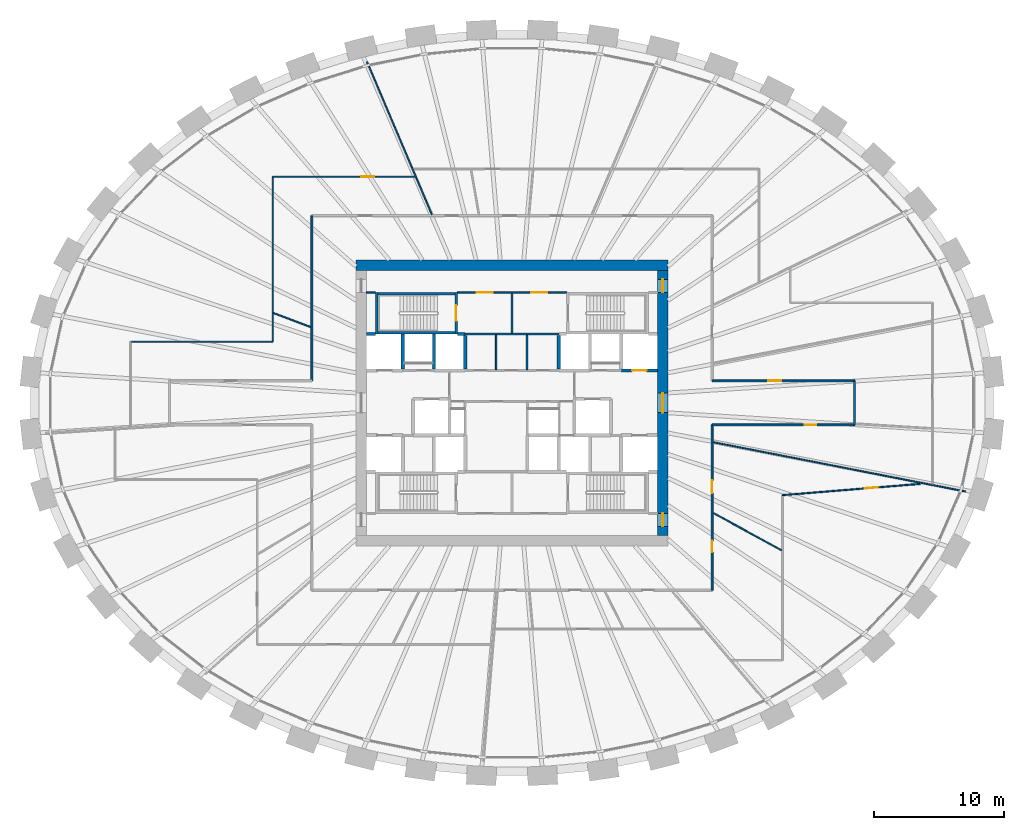
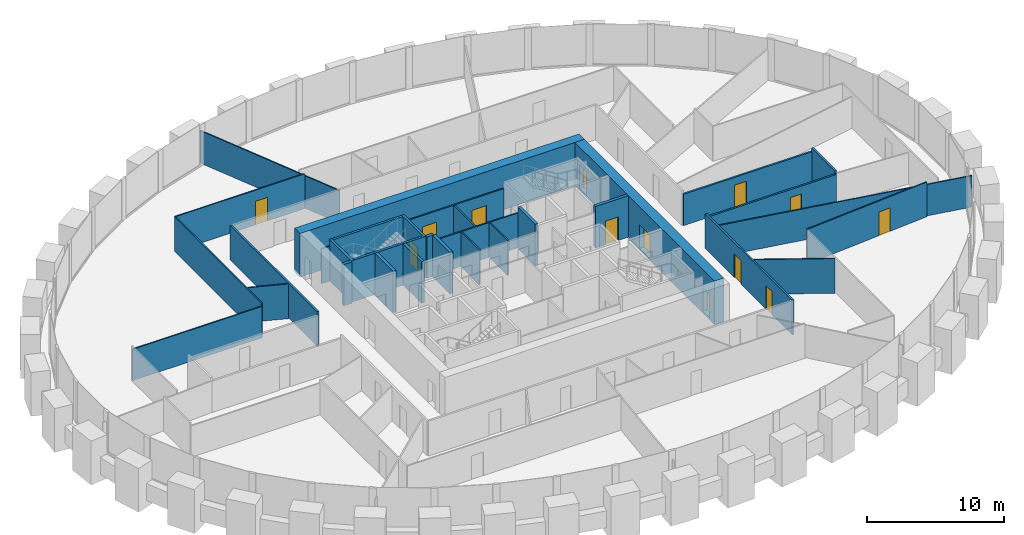
# One storey, part 8 of 10: 32 walls, 13 doors, 13 openings.
"""IFC4 building model written with IfcOpenShell, lengths in metres."""

from ifc_helpers import new_model, si_unit, direction, frame, frame_2d, origin, place, context, subcontext, project, spatial, rectangle, extrude, source, transform, mapped, material, layer, layer_set, type_object, element, fill, save


model = new_model("IFC4")

# Units and contexts
model_context = context("Model", 3, precision=1e-05, world=origin(), true_north=direction((0.0, 1.0)))
body_context = subcontext(model_context, "Body", "Model", "MODEL_VIEW")
ifc_project = project(units=[si_unit("LENGTHUNIT", "METRE"), si_unit("AREAUNIT", "SQUARE_METRE"), si_unit("VOLUMEUNIT", "CUBIC_METRE"), si_unit("PLANEANGLEUNIT", "RADIAN"), si_unit("MASSUNIT", "GRAM", prefix="KILO")], contexts=[model_context])

# Site, building, storey
site_placement = place(None, origin())
site = spatial("IfcSite", under=ifc_project, at=site_placement, CompositionType="ELEMENT")
building_placement = place(site_placement, origin())
building = spatial("IfcBuilding", under=site, at=building_placement, Name="Embergate Tower", CompositionType="ELEMENT")
storey_placement = place(building_placement, frame((0.0, 0.0, 183.300048828125)))
storey = spatial("IfcBuildingStorey", under=building, at=storey_placement, Name="L41", CompositionType="ELEMENT", Elevation=183.300048828125)

# Wall
ifc_material_1 = material(Name="Concrete C70", Category="concrete")
ifc_layer_1 = layer(ifc_material_1, 0.800048828125)
ifc_layer_set_1 = layer_set([ifc_layer_1], Name="Concrete C70")
wall_type_1 = type_object("IfcWallType", Name="Core outer wall C70 800", PredefinedType="SHEAR", material=ifc_layer_set_1)
shared_shape_1 = source(origin(), body_context, "Body", "SweptSolid", [
    extrude(rectangle(XDim=24.0, YDim=0.800048828125, at=frame_2d((12.0, 0.0))), origin(), (0.0, 0.0, 1.0), 3.89990234375),
])
wall_1_placement = place(storey_placement, frame((-12.0, 10.60009765625, -0.199951171875), z_axis=(0.0, 0.0, 1.0), x_axis=(1.0, 0.0, 0.0)))
element("IfcWall", 1, at=wall_1_placement, inside=storey, type_object=wall_type_1, Name="CW-L41-N", PredefinedType="SHEAR", context=body_context, shape_type="MappedRepresentation", body=[
    mapped(shared_shape_1, transform((0.0, 0.0, 0.0))),
])

# Wall, openings, doors
shared_shape_2 = source(origin(), body_context, "Body", "SweptSolid", [
    extrude(rectangle(XDim=20.39990234375, YDim=0.800048828125, at=frame_2d((10.199951171875, 0.0))), origin(), (0.0, 0.0, 1.0), 3.89990234375),
])
wall_2_placement = place(storey_placement, frame((11.60009765625, -10.199951171875, -0.199951171875), z_axis=(0.0, 0.0, 1.0), x_axis=(0.0, 1.0, 0.0)))
wall_2 = element("IfcWall", 2, at=wall_2_placement, inside=storey, type_object=wall_type_1, Name="CW-L41-E", PredefinedType="SHEAR", context=body_context, shape_type="MappedRepresentation", body=[
    mapped(shared_shape_2, transform((0.0, 0.0, 0.0))),
])
shared_shape_3 = source(origin(), body_context, "Body", "SweptSolid", [
    extrude(rectangle(XDim=1.0, YDim=2.10009765625, at=frame_2d((0.5, 1.050048828125))), frame((0.0, 0.409912109375, 0.0), z_axis=(0.0, -1.0, 0.0), x_axis=(1.0, 0.0, 0.0)), (0.0, 0.0, 1.0), 0.820068359375),
])
opening_1_placement = place(wall_2_placement, frame((18.699951171875, 0.0, 0.199951171875)))
opening_1 = element("IfcOpeningElement", 3, at=opening_1_placement, cuts=wall_2, Name="Opening IF-1d", PredefinedType="OPENING", context=body_context, shape_type="MappedRepresentation", body=[
    mapped(shared_shape_3, transform((0.0, 0.0, 0.0))),
])
opening_2_placement = place(wall_2_placement, frame((0.699951171875, 0.0, 0.199951171875)))
opening_2 = element("IfcOpeningElement", 4, at=opening_2_placement, cuts=wall_2, Name="Opening IF-1d", PredefinedType="OPENING", context=body_context, shape_type="MappedRepresentation", body=[
    mapped(shared_shape_3, transform((0.0, 0.0, 0.0))),
])
shared_shape_4 = source(origin(), body_context, "Body", "SweptSolid", [
    extrude(rectangle(XDim=1.5, YDim=2.10009765625, at=frame_2d((0.75, 1.050048828125))), frame((0.0, 0.409912109375, 0.0), z_axis=(0.0, -1.0, 0.0), x_axis=(1.0, 0.0, 0.0)), (0.0, 0.0, 1.0), 0.820068359375),
])
opening_3_placement = place(wall_2_placement, frame((9.449951171875, 0.0, 0.199951171875)))
opening_3 = element("IfcOpeningElement", 5, at=opening_3_placement, cuts=wall_2, Name="Opening IF-3", PredefinedType="OPENING", context=body_context, shape_type="MappedRepresentation", body=[
    mapped(shared_shape_4, transform((0.0, 0.0, 0.0))),
])
ifc_material_2 = material(Name="Lobby fire door pair 1500")
door_type_1 = type_object("IfcDoorType", Name="Lobby fire door pair 1500", OperationType="DOUBLE_DOOR_SINGLE_SWING", PredefinedType="DOOR", material=ifc_material_2)
shared_shape_5 = source(origin(), body_context, "Body", "SweptSolid", [
    extrude(rectangle(XDim=1.5, YDim=2.10009765625, at=frame_2d((0.75, 1.050048828125))), frame((0.0, 0.02490234375, 0.0), z_axis=(0.0, -1.0, 0.0), x_axis=(1.0, 0.0, 0.0)), (0.0, 0.0, 1.0), 0.050048828125),
])
door_1_placement = place(opening_3_placement, origin())
door_1 = element("IfcDoor", 6, at=door_1_placement, inside=storey, type_object=door_type_1, Name="IF-3 door", OperationType="DOUBLE_DOOR_SINGLE_SWING", OverallHeight=2.10009765625, OverallWidth=1.5, PredefinedType="DOOR", context=body_context, shape_type="MappedRepresentation", body=[
    mapped(shared_shape_5, transform((0.0, 0.0, 0.0))),
])
fill(opening_3, door_1)
ifc_material_3 = material(Name="Escape fire door 1000")
door_type_2 = type_object("IfcDoorType", Name="Escape fire door 1000", OperationType="SINGLE_SWING_LEFT", PredefinedType="DOOR", material=ifc_material_3)
shared_shape_6 = source(origin(), body_context, "Body", "SweptSolid", [
    extrude(rectangle(XDim=1.0, YDim=2.10009765625, at=frame_2d((0.5, 1.050048828125))), frame((0.0, 0.02490234375, 0.0), z_axis=(0.0, -1.0, 0.0), x_axis=(1.0, 0.0, 0.0)), (0.0, 0.0, 1.0), 0.050048828125),
])
door_2_placement = place(opening_1_placement, origin())
door_2 = element("IfcDoor", 7, at=door_2_placement, inside=storey, type_object=door_type_2, Name="IF-1 door", OperationType="SINGLE_SWING_RIGHT", OverallHeight=2.10009765625, OverallWidth=1.0, PredefinedType="DOOR", context=body_context, shape_type="MappedRepresentation", body=[
    mapped(shared_shape_6, transform((0.0, 0.0, 0.0))),
])
fill(opening_1, door_2)
door_3_placement = place(opening_2_placement, origin())
door_3 = element("IfcDoor", 8, at=door_3_placement, inside=storey, type_object=door_type_2, Name="IF-1 door", OperationType="SINGLE_SWING_RIGHT", OverallHeight=2.10009765625, OverallWidth=1.0, PredefinedType="DOOR", context=body_context, shape_type="MappedRepresentation", body=[
    mapped(shared_shape_6, transform((0.0, 0.0, 0.0))),
])
fill(opening_2, door_3)

# Walls
ifc_material_4 = material(Name="Concrete C50", Category="concrete")
ifc_layer_2 = layer(ifc_material_4, 0.25)
ifc_layer_set_2 = layer_set([ifc_layer_2], Name="Concrete C50")
wall_type_2 = type_object("IfcWallType", Name="Hoistway wall reinforced concrete 250", PredefinedType="SHEAR", material=ifc_layer_set_2)
shared_shape_7 = source(origin(), body_context, "Body", "SweptSolid", [
    extrude(rectangle(XDim=2.675048828125, YDim=0.25, at=frame_2d((1.33740234375, 0.0))), origin(), (0.0, 0.0, 1.0), 3.699951171875),
])
for number, where, z_axis, x_axis, name in (
    (9, (-8.39990234375, 2.625, 0.0), (0.0, 0.0, 1.0), (0.0, 1.0, 0.0), "HW-1 wall"),
    (10, (-6.0, 2.625, 0.0), (0.0, 0.0, 1.0), (0.0, 1.0, 0.0), "HW-1 wall"),
):
    element("IfcWall", number, at=place(storey_placement, frame(where, z_axis=z_axis, x_axis=x_axis)), inside=storey, type_object=wall_type_2, Name=name, PredefinedType="SHEAR", context=body_context, shape_type="MappedRepresentation", body=[
        mapped(shared_shape_7, transform((0.0, 0.0, 0.0))),
    ])
ifc_layer_3 = layer(ifc_material_4, 0.199951171875)
ifc_layer_set_3 = layer_set([ifc_layer_3], Name="Concrete C50")
wall_type_3 = type_object("IfcWallType", Name="Stair enclosure wall reinforced concrete 250", PredefinedType="SHEAR", material=ifc_layer_set_3)
shared_shape_8 = source(origin(), body_context, "Body", "SweptSolid", [
    extrude(rectangle(XDim=6.300048828125, YDim=0.199951171875, at=frame_2d((3.14990234375, 0.0))), origin(), (0.0, 0.0, 1.0), 3.699951171875),
])
for number, where, z_axis, x_axis, name in (
    (11, (-4.199951171875, 5.39990234375, 0.0), (0.0, 0.0, 1.0), (-1.0, 0.0, 0.0), "SE-1 wall"),
    (12, (-4.199951171875, 8.39990234375, 0.0), (0.0, 0.0, 1.0), (-1.0, 0.0, 0.0), "SE-1 wall"),
):
    element("IfcWall", number, at=place(storey_placement, frame(where, z_axis=z_axis, x_axis=x_axis)), inside=storey, type_object=wall_type_3, Name=name, PredefinedType="SHEAR", context=body_context, shape_type="MappedRepresentation", body=[
        mapped(shared_shape_8, transform((0.0, 0.0, 0.0))),
    ])
shared_shape_9 = source(origin(), body_context, "Body", "SweptSolid", [
    extrude(rectangle(XDim=2.550048828125, YDim=0.25, at=frame_2d((1.27490234375, 0.0))), origin(), (0.0, 0.0, 1.0), 3.699951171875),
])
for number, where, z_axis, x_axis, name in (
    (13, (-3.60009765625, 2.625, 0.0), (0.0, 0.0, 1.0), (0.0, 1.0, 0.0), "HW-1 wall"),
    (14, (3.60009765625, 5.175048828125, 0.0), (0.0, 0.0, 1.0), (0.0, -1.0, 0.0), "HW-1 wall"),
):
    element("IfcWall", number, at=place(storey_placement, frame(where, z_axis=z_axis, x_axis=x_axis)), inside=storey, type_object=wall_type_2, Name=name, PredefinedType="SHEAR", context=body_context, shape_type="MappedRepresentation", body=[
        mapped(shared_shape_9, transform((0.0, 0.0, 0.0))),
    ])

# Wall, opening, door
shared_shape_10 = source(origin(), body_context, "Body", "SweptSolid", [
    extrude(rectangle(XDim=3.199951171875, YDim=0.199951171875, at=frame_2d((1.60009765625, 0.0))), origin(), (0.0, 0.0, 1.0), 3.699951171875),
])
wall_3_placement = place(storey_placement, frame((-4.300048828125, 5.300048828125, 0.0), z_axis=(0.0, 0.0, 1.0), x_axis=(0.0, 1.0, 0.0)))
wall_3 = element("IfcWall", 15, at=wall_3_placement, inside=storey, type_object=wall_type_3, Name="SE-1 wall", PredefinedType="SHEAR", context=body_context, shape_type="MappedRepresentation", body=[
    mapped(shared_shape_10, transform((0.0, 0.0, 0.0))),
])
shared_shape_11 = source(origin(), body_context, "Body", "SweptSolid", [
    extrude(rectangle(XDim=1.199951171875, YDim=2.10009765625, at=frame_2d((0.60009765625, 1.050048828125))), frame((0.0, 0.10986328125, 0.0), z_axis=(0.0, -1.0, 0.0), x_axis=(1.0, 0.0, 0.0)), (0.0, 0.0, 1.0), 0.219970703125),
])
opening_4_placement = place(wall_3_placement, frame((1.0, 0.0, 0.0)))
opening_4 = element("IfcOpeningElement", 16, at=opening_4_placement, cuts=wall_3, Name="Opening IF-2", PredefinedType="OPENING", context=body_context, shape_type="MappedRepresentation", body=[
    mapped(shared_shape_11, transform((0.0, 0.0, 0.0))),
])
ifc_material_5 = material(Name="Stair enclosure door 1200")
door_type_3 = type_object("IfcDoorType", Name="Stair enclosure door 1200", OperationType="SINGLE_SWING_LEFT", PredefinedType="DOOR", material=ifc_material_5)
shared_shape_12 = source(origin(), body_context, "Body", "SweptSolid", [
    extrude(rectangle(XDim=1.199951171875, YDim=2.10009765625, at=frame_2d((0.60009765625, 1.050048828125))), frame((0.0, 0.02490234375, 0.0), z_axis=(0.0, -1.0, 0.0), x_axis=(1.0, 0.0, 0.0)), (0.0, 0.0, 1.0), 0.050048828125),
])
door_4_placement = place(opening_4_placement, origin())
door_4 = element("IfcDoor", 17, at=door_4_placement, inside=storey, type_object=door_type_3, Name="IF-2 door", OperationType="SINGLE_SWING_LEFT", OverallHeight=2.10009765625, OverallWidth=1.199951171875, PredefinedType="DOOR", context=body_context, shape_type="MappedRepresentation", body=[
    mapped(shared_shape_12, transform((0.0, 0.0, 0.0))),
])
fill(opening_4, door_4)

# Wall, openings, doors
ifc_material_6 = material(Name="Core partition blockwork 120")
ifc_layer_4 = layer(ifc_material_6, 0.1201171875)
ifc_layer_set_4 = layer_set([ifc_layer_4], Name="Core partition blockwork 120")
wall_type_4 = type_object("IfcWallType", Name="Core partition blockwork 120", PredefinedType="PARTITIONING", material=ifc_layer_set_4)
shared_shape_13 = source(origin(), body_context, "Body", "SweptSolid", [
    extrude(rectangle(XDim=8.39990234375, YDim=0.1201171875, at=frame_2d((4.199951171875, 0.0))), origin(), (0.0, 0.0, 1.0), 3.099853515625),
])
wall_4_placement = place(storey_placement, frame((4.199951171875, 8.5, 0.0), z_axis=(0.0, 0.0, 1.0), x_axis=(-1.0, 0.0, 0.0)))
wall_4 = element("IfcWall", 18, at=wall_4_placement, inside=storey, type_object=wall_type_4, Name="IP-3 wall", PredefinedType="PARTITIONING", context=body_context, shape_type="MappedRepresentation", body=[
    mapped(shared_shape_13, transform((0.0, 0.0, 0.0))),
])
shared_shape_14 = source(origin(), body_context, "Body", "SweptSolid", [
    extrude(rectangle(XDim=1.199951171875, YDim=2.10009765625, at=frame_2d((0.60009765625, 1.050048828125))), frame((0.0, 0.070068359375, 0.0), z_axis=(0.0, -1.0, 0.0), x_axis=(1.0, 0.0, 0.0)), (0.0, 0.0, 1.0), 0.14013671875),
])
opening_5_placement = place(wall_4_placement, frame((5.699951171875, 0.0, 0.0)))
opening_5 = element("IfcOpeningElement", 19, at=opening_5_placement, cuts=wall_4, Name="Opening IF-3f", PredefinedType="OPENING", context=body_context, shape_type="MappedRepresentation", body=[
    mapped(shared_shape_14, transform((0.0, 0.0, 0.0))),
])
opening_6_placement = place(wall_4_placement, frame((1.5, 0.0, 0.0)))
opening_6 = element("IfcOpeningElement", 20, at=opening_6_placement, cuts=wall_4, Name="Opening IF-3f", PredefinedType="OPENING", context=body_context, shape_type="MappedRepresentation", body=[
    mapped(shared_shape_14, transform((0.0, 0.0, 0.0))),
])
ifc_material_7 = material(Name="Lobby fire door pair 1200")
door_type_4 = type_object("IfcDoorType", Name="Lobby fire door pair 1200", OperationType="DOUBLE_DOOR_SINGLE_SWING", PredefinedType="DOOR", material=ifc_material_7)
door_5_placement = place(opening_5_placement, origin())
door_5 = element("IfcDoor", 21, at=door_5_placement, inside=storey, type_object=door_type_4, Name="IF-3 door", OperationType="DOUBLE_DOOR_SINGLE_SWING", OverallHeight=2.10009765625, OverallWidth=1.199951171875, PredefinedType="DOOR", context=body_context, shape_type="MappedRepresentation", body=[
    mapped(shared_shape_12, transform((0.0, 0.0, 0.0))),
])
fill(opening_5, door_5)
door_6_placement = place(opening_6_placement, origin())
door_6 = element("IfcDoor", 22, at=door_6_placement, inside=storey, type_object=door_type_4, Name="IF-3 door", OperationType="DOUBLE_DOOR_SINGLE_SWING", OverallHeight=2.10009765625, OverallWidth=1.199951171875, PredefinedType="DOOR", context=body_context, shape_type="MappedRepresentation", body=[
    mapped(shared_shape_12, transform((0.0, 0.0, 0.0))),
])
fill(opening_6, door_6)

# Walls
shared_shape_15 = source(origin(), body_context, "Body", "SweptSolid", [
    extrude(rectangle(XDim=2.679931640625, YDim=0.1201171875, at=frame_2d((1.33984375, 0.0))), origin(), (0.0, 0.0, 1.0), 3.099853515625),
])
for number, where, z_axis, x_axis, name in (
    (23, (-1.22412109375, 2.56005859375, 0.0), (0.0, 0.0, 1.0), (0.0, 1.0, 0.0), "IP-3 wall"),
    (24, (1.152099609375, 2.56005859375, 0.0), (0.0, 0.0, 1.0), (0.0, 1.0, 0.0), "IP-3 wall"),
):
    element("IfcWall", number, at=place(storey_placement, frame(where, z_axis=z_axis, x_axis=x_axis)), inside=storey, type_object=wall_type_4, Name=name, PredefinedType="PARTITIONING", context=body_context, shape_type="MappedRepresentation", body=[
        mapped(shared_shape_15, transform((0.0, 0.0, 0.0))),
    ])

# Wall, opening, door
shared_shape_16 = source(origin(), body_context, "Body", "SweptSolid", [
    extrude(rectangle(XDim=2.800048828125, YDim=0.25, at=frame_2d((1.39990234375, 0.0))), origin(), (0.0, 0.0, 1.0), 3.699951171875),
])
wall_5_placement = place(storey_placement, frame((8.39990234375, 2.5, 0.0), z_axis=(0.0, 0.0, 1.0), x_axis=(1.0, 0.0, 0.0)))
wall_5 = element("IfcWall", 25, at=wall_5_placement, inside=storey, type_object=wall_type_2, Name="HW-1 wall", PredefinedType="SHEAR", context=body_context, shape_type="MappedRepresentation", body=[
    mapped(shared_shape_16, transform((0.0, 0.0, 0.0))),
])
shared_shape_17 = source(origin(), body_context, "Body", "SweptSolid", [
    extrude(rectangle(XDim=1.10009765625, YDim=2.10009765625, at=frame_2d((0.550048828125, 1.050048828125))), frame((0.0, 0.135009765625, 0.0), z_axis=(0.0, -1.0, 0.0), x_axis=(1.0, 0.0, 0.0)), (0.0, 0.0, 1.0), 0.27001953125),
])
opening_7_placement = place(wall_5_placement, frame((0.85009765625, 0.0, 0.0)))
opening_7 = element("IfcOpeningElement", 26, at=opening_7_placement, cuts=wall_5, Name="Opening LD", PredefinedType="OPENING", context=body_context, shape_type="MappedRepresentation", body=[
    mapped(shared_shape_17, transform((0.0, 0.0, 0.0))),
])
ifc_material_8 = material(Name="Landing door sliding 1100")
door_type_5 = type_object("IfcDoorType", Name="Landing door sliding 1100", OperationType="SLIDING_TO_LEFT", PredefinedType="DOOR", material=ifc_material_8)
shared_shape_18 = source(origin(), body_context, "Body", "SweptSolid", [
    extrude(rectangle(XDim=1.10009765625, YDim=2.10009765625, at=frame_2d((0.550048828125, 1.050048828125))), frame((0.0, 0.02490234375, 0.0), z_axis=(0.0, -1.0, 0.0), x_axis=(1.0, 0.0, 0.0)), (0.0, 0.0, 1.0), 0.050048828125),
])
door_7_placement = place(opening_7_placement, origin())
door_7 = element("IfcDoor", 27, at=door_7_placement, inside=storey, type_object=door_type_5, Name="LD door", OperationType="SLIDING_TO_LEFT", OverallHeight=2.10009765625, OverallWidth=1.10009765625, PredefinedType="DOOR", context=body_context, shape_type="MappedRepresentation", body=[
    mapped(shared_shape_18, transform((0.0, 0.0, 0.0))),
])
fill(opening_7, door_7)

# Walls
shared_shape_19 = source(origin(), body_context, "Body", "SweptSolid", [
    extrude(rectangle(XDim=0.599853515625, YDim=0.25, at=frame_2d((0.2998046875, 0.0))), origin(), (0.0, 0.0, 1.0), 3.699951171875),
])
wall_6_placement = place(storey_placement, frame((-3.60009765625, 5.300048828125, 0.0), z_axis=(0.0, 0.0, 1.0), x_axis=(-1.0, 0.0, 0.0)))
element("IfcWall", 28, at=wall_6_placement, inside=storey, type_object=wall_type_2, Name="HW-1 wall", PredefinedType="SHEAR", context=body_context, shape_type="MappedRepresentation", body=[
    mapped(shared_shape_19, transform((0.0, 0.0, 0.0))),
])
shared_shape_20 = source(origin(), body_context, "Body", "SweptSolid", [
    extrude(rectangle(XDim=3.196044921875, YDim=0.199951171875, at=frame_2d((1.59814453125, 0.0))), origin(), (0.0, 0.0, 1.0), 3.699951171875),
])
wall_7_placement = place(storey_placement, frame((-10.39990234375, 8.498046875, 0.0), z_axis=(0.0, 0.0, 1.0), x_axis=(0.0, -1.0, 0.0)))
element("IfcWall", 29, at=wall_7_placement, inside=storey, type_object=wall_type_3, Name="SE-1 wall", PredefinedType="SHEAR", context=body_context, shape_type="MappedRepresentation", body=[
    mapped(shared_shape_20, transform((0.0, 0.0, 0.0))),
])
shared_shape_21 = source(origin(), body_context, "Body", "SweptSolid", [
    extrude(rectangle(XDim=0.697998046875, YDim=0.25, at=frame_2d((0.34912109375, 0.0))), origin(), (0.0, 0.0, 1.0), 3.699951171875),
])
wall_8_placement = place(storey_placement, frame((-10.501953125, 5.300048828125, 0.0), z_axis=(0.0, 0.0, 1.0), x_axis=(-1.0, 0.0, 0.0)))
element("IfcWall", 30, at=wall_8_placement, inside=storey, type_object=wall_type_2, Name="HW-1 wall", PredefinedType="SHEAR", context=body_context, shape_type="MappedRepresentation", body=[
    mapped(shared_shape_21, transform((0.0, 0.0, 0.0))),
])

# Wall, opening, door
ifc_material_9 = material(Name="Corridor wall dry-lined 150")
ifc_layer_5 = layer(ifc_material_9, 0.14990234375)
ifc_layer_set_5 = layer_set([ifc_layer_5], Name="Corridor wall dry-lined 150")
wall_type_5 = type_object("IfcWallType", Name="Corridor wall dry-lined 150", PredefinedType="PARTITIONING", material=ifc_layer_set_5)
shared_shape_22 = source(origin(), body_context, "Body", "SweptSolid", [
    extrude(rectangle(XDim=10.9501953125, YDim=0.14990234375, at=frame_2d((5.47509765625, 0.0))), origin(), (0.0, 0.0, 1.0), 2.800048828125),
])
wall_9_placement = place(storey_placement, frame((26.35009765625, -1.699951171875, 0.0), z_axis=(0.0, 0.0, 1.0), x_axis=(-1.0, 0.0, 0.0)))
wall_9 = element("IfcWall", 31, at=wall_9_placement, inside=storey, type_object=wall_type_5, Name="IP-2 wall", PredefinedType="PARTITIONING", context=body_context, shape_type="MappedRepresentation", body=[
    mapped(shared_shape_22, transform((0.0, 0.0, 0.0))),
])
shared_shape_23 = source(origin(), body_context, "Body", "SweptSolid", [
    extrude(rectangle(XDim=0.89990234375, YDim=2.10009765625, at=frame_2d((0.449951171875, 1.050048828125))), frame((0.0, 0.0849609375, 0.0), z_axis=(0.0, -1.0, 0.0), x_axis=(1.0, 0.0, 0.0)), (0.0, 0.0, 1.0), 0.169921875),
])
opening_8_placement = place(wall_9_placement, frame((2.946044921875, 0.0, 0.0)))
opening_8 = element("IfcOpeningElement", 32, at=opening_8_placement, cuts=wall_9, Name="Opening IF-1c", PredefinedType="OPENING", context=body_context, shape_type="MappedRepresentation", body=[
    mapped(shared_shape_23, transform((0.0, 0.0, 0.0))),
])
ifc_material_10 = material(Name="Escape fire door 900")
door_type_6 = type_object("IfcDoorType", Name="Escape fire door 900", OperationType="SINGLE_SWING_LEFT", PredefinedType="DOOR", material=ifc_material_10)
shared_shape_24 = source(origin(), body_context, "Body", "SweptSolid", [
    extrude(rectangle(XDim=0.89990234375, YDim=2.10009765625, at=frame_2d((0.449951171875, 1.050048828125))), frame((0.0, 0.02490234375, 0.0), z_axis=(0.0, -1.0, 0.0), x_axis=(1.0, 0.0, 0.0)), (0.0, 0.0, 1.0), 0.050048828125),
])
door_8_placement = place(opening_8_placement, origin())
door_8 = element("IfcDoor", 33, at=door_8_placement, inside=storey, type_object=door_type_6, Name="IF-1 door", OperationType="SINGLE_SWING_LEFT", OverallHeight=2.10009765625, OverallWidth=0.89990234375, PredefinedType="DOOR", context=body_context, shape_type="MappedRepresentation", body=[
    mapped(shared_shape_24, transform((0.0, 0.0, 0.0))),
])
fill(opening_8, door_8)

wall_10_placement = place(storey_placement, frame((15.39990234375, 1.699951171875, 0.0), z_axis=(0.0, 0.0, 1.0), x_axis=(1.0, 0.0, 0.0)))
wall_10 = element("IfcWall", 34, at=wall_10_placement, inside=storey, type_object=wall_type_5, Name="IP-2 wall", PredefinedType="PARTITIONING", context=body_context, shape_type="MappedRepresentation", body=[
    mapped(shared_shape_22, transform((0.0, 0.0, 0.0))),
])
shared_shape_25 = source(origin(), body_context, "Body", "SweptSolid", [
    extrude(rectangle(XDim=1.0, YDim=2.10009765625, at=frame_2d((0.5, 1.050048828125))), frame((0.0, 0.0849609375, 0.0), z_axis=(0.0, -1.0, 0.0), x_axis=(1.0, 0.0, 0.0)), (0.0, 0.0, 1.0), 0.169921875),
])
opening_9_placement = place(wall_10_placement, frame((4.321044921875, 0.0, 0.0)))
opening_9 = element("IfcOpeningElement", 35, at=opening_9_placement, cuts=wall_10, Name="Opening ID-2", PredefinedType="OPENING", context=body_context, shape_type="MappedRepresentation", body=[
    mapped(shared_shape_25, transform((0.0, 0.0, 0.0))),
])
ifc_material_11 = material(Name="Interior door 1000")
door_type_7 = type_object("IfcDoorType", Name="Interior door 1000", OperationType="SINGLE_SWING_LEFT", PredefinedType="DOOR", material=ifc_material_11)
door_9_placement = place(opening_9_placement, origin())
door_9 = element("IfcDoor", 36, at=door_9_placement, inside=storey, type_object=door_type_7, Name="ID-2 door", OperationType="SINGLE_SWING_LEFT", OverallHeight=2.10009765625, OverallWidth=1.0, PredefinedType="DOOR", context=body_context, shape_type="MappedRepresentation", body=[
    mapped(shared_shape_6, transform((0.0, 0.0, 0.0))),
])
fill(opening_9, door_9)

# Walls
ifc_material_12 = material(Name="Partition dry-lined 100")
ifc_layer_6 = layer(ifc_material_12, 0.10009765625)
ifc_layer_set_6 = layer_set([ifc_layer_6], Name="Partition dry-lined 100")
wall_type_6 = type_object("IfcWallType", Name="Partition dry-lined 100", PredefinedType="PARTITIONING", material=ifc_layer_set_6)
shared_shape_26 = source(origin(), body_context, "Body", "SweptSolid", [
    extrude(rectangle(XDim=10.9501953125, YDim=0.10009765625, at=frame_2d((5.47509765625, 0.0))), origin(), (0.0, 0.0, 1.0), 2.800048828125),
])
wall_11_placement = place(storey_placement, frame((-18.39990234375, 4.699951171875, 0.0), z_axis=(0.0, 0.0, 1.0), x_axis=(-1.0, 0.0, 0.0)))
element("IfcWall", 37, at=wall_11_placement, inside=storey, type_object=wall_type_6, Name="IP-1 wall", PredefinedType="PARTITIONING", context=body_context, shape_type="MappedRepresentation", body=[
    mapped(shared_shape_26, transform((0.0, 0.0, 0.0))),
])
shared_shape_27 = source(origin(), body_context, "Body", "SweptSolid", [
    extrude(rectangle(XDim=7.2001953125, YDim=0.1201171875, at=frame_2d((3.60009765625, 0.0))), origin(), (0.0, 0.0, 1.0), 3.099853515625),
])
wall_12_placement = place(storey_placement, frame((-3.60009765625, 5.300048828125, 0.0), z_axis=(0.0, 0.0, 1.0), x_axis=(1.0, 0.0, 0.0)))
element("IfcWall", 38, at=wall_12_placement, inside=storey, type_object=wall_type_4, Name="IP-3 wall", PredefinedType="PARTITIONING", context=body_context, shape_type="MappedRepresentation", body=[
    mapped(shared_shape_27, transform((0.0, 0.0, 0.0))),
])
shared_shape_28 = source(origin(), body_context, "Body", "SweptSolid", [
    extrude(rectangle(XDim=3.079833984375, YDim=0.1201171875, at=frame_2d((1.5400390625, 0.0))), origin(), (0.0, 0.0, 1.0), 3.099853515625),
])
wall_13_placement = place(storey_placement, frame((0.0, 5.360107421875, 0.0), z_axis=(0.0, 0.0, 1.0), x_axis=(0.0, 1.0, 0.0)))
element("IfcWall", 39, at=wall_13_placement, inside=storey, type_object=wall_type_4, Name="IP-3 wall", PredefinedType="PARTITIONING", context=body_context, shape_type="MappedRepresentation", body=[
    mapped(shared_shape_28, transform((0.0, 0.0, 0.0))),
])
shared_shape_29 = source(origin(), body_context, "Body", "SweptSolid", [
    extrude(rectangle(XDim=0.697998046875, YDim=0.1201171875, at=frame_2d((0.34912109375, 0.0))), origin(), (0.0, 0.0, 1.0), 3.099853515625),
])
wall_14_placement = place(storey_placement, frame((-11.199951171875, 8.5, 0.0), z_axis=(0.0, 0.0, 1.0), x_axis=(1.0, 0.0, 0.0)))
element("IfcWall", 40, at=wall_14_placement, inside=storey, type_object=wall_type_4, Name="IP-3 wall", PredefinedType="PARTITIONING", context=body_context, shape_type="MappedRepresentation", body=[
    mapped(shared_shape_29, transform((0.0, 0.0, 0.0))),
])
shared_shape_30 = source(origin(), body_context, "Body", "SweptSolid", [
    extrude(rectangle(XDim=19.77197265625, YDim=0.10009765625, at=frame_2d((9.885986328125, 0.0))), origin(), (0.0, 0.0, 1.0), 2.800048828125),
])
wall_15_placement = place(storey_placement, frame((34.889892578125, -6.819091796875, 0.0), z_axis=(0.0, 0.0, 1.0), x_axis=(-0.981424811586, 0.191847176689, 0.0)))
element("IfcWall", 41, at=wall_15_placement, inside=storey, type_object=wall_type_6, Name="IP-1 wall", PredefinedType="PARTITIONING", context=body_context, shape_type="MappedRepresentation", body=[
    mapped(shared_shape_30, transform((0.0, 0.0, 0.0))),
])
shared_shape_31 = source(origin(), body_context, "Body", "SweptSolid", [
    extrude(rectangle(XDim=12.767333984375, YDim=0.10009765625, at=frame_2d((6.3837890625, 0.0))), origin(), (0.0, 0.0, 1.0), 2.89990234375),
])
wall_16_placement = place(storey_placement, frame((-11.162109375, 26.243896484375, 0.0), z_axis=(0.0, 0.0, 1.0), x_axis=(0.391395319475, -0.92022263822, 0.0)))
element("IfcWall", 42, at=wall_16_placement, inside=storey, type_object=wall_type_6, Name="IP-1 wall", PredefinedType="PARTITIONING", context=body_context, shape_type="MappedRepresentation", body=[
    mapped(shared_shape_31, transform((0.0, 0.0, 0.0))),
])

# Wall, openings, doors
shared_shape_32 = source(origin(), body_context, "Body", "SweptSolid", [
    extrude(rectangle(XDim=12.699951171875, YDim=0.14990234375, at=frame_2d((6.35009765625, 0.0))), origin(), (0.0, 0.0, 1.0), 3.099853515625),
])
wall_17_placement = place(storey_placement, frame((15.39990234375, -1.699951171875, 0.0), z_axis=(0.0, 0.0, 1.0), x_axis=(0.0, -1.0, 0.0)))
wall_17 = element("IfcWall", 43, at=wall_17_placement, inside=storey, type_object=wall_type_5, Name="IP-2 wall", PredefinedType="PARTITIONING", context=body_context, shape_type="MappedRepresentation", body=[
    mapped(shared_shape_32, transform((0.0, 0.0, 0.0))),
])
opening_10_placement = place(wall_17_placement, frame((8.905029296875, 0.0, 0.0)))
opening_10 = element("IfcOpeningElement", 44, at=opening_10_placement, cuts=wall_17, Name="Opening IF-1c", PredefinedType="OPENING", context=body_context, shape_type="MappedRepresentation", body=[
    mapped(shared_shape_23, transform((0.0, 0.0, 0.0))),
])
opening_11_placement = place(wall_17_placement, frame((4.241943359375, 0.0, 0.0)))
opening_11 = element("IfcOpeningElement", 45, at=opening_11_placement, cuts=wall_17, Name="Opening ID-2", PredefinedType="OPENING", context=body_context, shape_type="MappedRepresentation", body=[
    mapped(shared_shape_25, transform((0.0, 0.0, 0.0))),
])
door_10_placement = place(opening_10_placement, origin())
door_10 = element("IfcDoor", 46, at=door_10_placement, inside=storey, type_object=door_type_6, Name="IF-1 door", OperationType="SINGLE_SWING_LEFT", OverallHeight=2.10009765625, OverallWidth=0.89990234375, PredefinedType="DOOR", context=body_context, shape_type="MappedRepresentation", body=[
    mapped(shared_shape_24, transform((0.0, 0.0, 0.0))),
])
fill(opening_10, door_10)
door_11_placement = place(opening_11_placement, origin())
door_11 = element("IfcDoor", 47, at=door_11_placement, inside=storey, type_object=door_type_7, Name="ID-2 door", OperationType="SINGLE_SWING_RIGHT", OverallHeight=2.10009765625, OverallWidth=1.0, PredefinedType="DOOR", context=body_context, shape_type="MappedRepresentation", body=[
    mapped(shared_shape_6, transform((0.0, 0.0, 0.0))),
])
fill(opening_11, door_11)

# Walls
wall_18_placement = place(storey_placement, frame((-15.39990234375, 1.699951171875, 0.0), z_axis=(0.0, 0.0, 1.0), x_axis=(0.0, 1.0, 0.0)))
element("IfcWall", 48, at=wall_18_placement, inside=storey, type_object=wall_type_5, Name="IP-2 wall", PredefinedType="PARTITIONING", context=body_context, shape_type="MappedRepresentation", body=[
    mapped(shared_shape_32, transform((0.0, 0.0, 0.0))),
])
shared_shape_33 = source(origin(), body_context, "Body", "SweptSolid", [
    extrude(rectangle(XDim=3.39990234375, YDim=0.14990234375, at=frame_2d((1.699951171875, 0.0))), origin(), (0.0, 0.0, 1.0), 3.099853515625),
])
wall_19_placement = place(storey_placement, frame((26.35009765625, 1.699951171875, 0.0), z_axis=(0.0, 0.0, 1.0), x_axis=(0.0, -1.0, 0.0)))
element("IfcWall", 49, at=wall_19_placement, inside=storey, type_object=wall_type_5, Name="IP-2 wall", PredefinedType="PARTITIONING", context=body_context, shape_type="MappedRepresentation", body=[
    mapped(shared_shape_33, transform((0.0, 0.0, 0.0))),
])
shared_shape_34 = source(origin(), body_context, "Body", "SweptSolid", [
    extrude(rectangle(XDim=5.95849609375, YDim=0.10009765625, at=frame_2d((2.979248046875, 0.0))), origin(), (0.0, 0.0, 1.0), 3.099853515625),
])
wall_20_placement = place(storey_placement, frame((15.4990234375, -8.47900390625, 0.0), z_axis=(0.0, 0.0, 1.0), x_axis=(0.877260614166, -0.480014390236, 0.0)))
element("IfcWall", 50, at=wall_20_placement, inside=storey, type_object=wall_type_6, Name="IP-1 wall", PredefinedType="PARTITIONING", context=body_context, shape_type="MappedRepresentation", body=[
    mapped(shared_shape_34, transform((0.0, 0.0, 0.0))),
])
shared_shape_35 = source(origin(), body_context, "Body", "SweptSolid", [
    extrude(rectangle(XDim=12.699951171875, YDim=0.10009765625, at=frame_2d((6.35009765625, 0.0))), origin(), (0.0, 0.0, 1.0), 3.099853515625),
])
wall_21_placement = place(storey_placement, frame((-18.39990234375, 4.699951171875, 0.0), z_axis=(0.0, 0.0, 1.0), x_axis=(0.0, 1.0, 0.0)))
element("IfcWall", 51, at=wall_21_placement, inside=storey, type_object=wall_type_6, Name="IP-1 wall", PredefinedType="PARTITIONING", context=body_context, shape_type="MappedRepresentation", body=[
    mapped(shared_shape_35, transform((0.0, 0.0, 0.0))),
])

# Wall, opening, door
shared_shape_36 = source(origin(), body_context, "Body", "SweptSolid", [
    extrude(rectangle(XDim=10.624267578125, YDim=0.10009765625, at=frame_2d((5.31201171875, 0.0))), origin(), (0.0, 0.0, 1.0), 3.099853515625),
])
wall_22_placement = place(storey_placement, frame((31.388916015625, -6.23388671875, 0.0), z_axis=(0.0, 0.0, 1.0), x_axis=(-0.9966707585, -0.081531583767, 0.0)))
wall_22 = element("IfcWall", 52, at=wall_22_placement, inside=storey, type_object=wall_type_6, Name="IP-1 wall", PredefinedType="PARTITIONING", context=body_context, shape_type="MappedRepresentation", body=[
    mapped(shared_shape_36, transform((0.0, 0.0, 0.0))),
])
shared_shape_37 = source(origin(), body_context, "Body", "SweptSolid", [
    extrude(rectangle(XDim=1.0, YDim=2.10009765625, at=frame_2d((0.5, 1.050048828125))), frame((0.0, 0.06005859375, 0.0), z_axis=(0.0, -1.0, 0.0), x_axis=(1.0, 0.0, 0.0)), (0.0, 0.0, 1.0), 0.1201171875),
])
opening_12_placement = place(wall_22_placement, frame((3.26953125, 0.0, 0.0)))
opening_12 = element("IfcOpeningElement", 53, at=opening_12_placement, cuts=wall_22, Name="Opening ID-2", PredefinedType="OPENING", context=body_context, shape_type="MappedRepresentation", body=[
    mapped(shared_shape_37, transform((0.0, 0.0, 0.0))),
])
door_12_placement = place(opening_12_placement, origin())
door_12 = element("IfcDoor", 54, at=door_12_placement, inside=storey, type_object=door_type_7, Name="ID-2 door", OperationType="SINGLE_SWING_RIGHT", OverallHeight=2.10009765625, OverallWidth=1.0, PredefinedType="DOOR", context=body_context, shape_type="MappedRepresentation", body=[
    mapped(shared_shape_6, transform((0.0, 0.0, 0.0))),
])
fill(opening_12, door_12)

# Wall
shared_shape_38 = source(origin(), body_context, "Body", "SweptSolid", [
    extrude(rectangle(XDim=3.034423828125, YDim=0.10009765625, at=frame_2d((1.51708984375, 0.0))), origin(), (0.0, 0.0, 1.0), 3.099853515625),
])
wall_23_placement = place(storey_placement, frame((-15.492919921875, 5.839111328125, 0.0), z_axis=(0.0, 0.0, 1.0), x_axis=(-0.935662883167, 0.352895124737, 0.0)))
element("IfcWall", 55, at=wall_23_placement, inside=storey, type_object=wall_type_6, Name="IP-1 wall", PredefinedType="PARTITIONING", context=body_context, shape_type="MappedRepresentation", body=[
    mapped(shared_shape_38, transform((0.0, 0.0, 0.0))),
])

# Wall, opening, door
shared_shape_39 = source(origin(), body_context, "Body", "SweptSolid", [
    extrude(rectangle(XDim=10.923828125, YDim=0.10009765625, at=frame_2d((5.4619140625, 0.0))), origin(), (0.0, 0.0, 1.0), 3.099853515625),
])
wall_24_placement = place(storey_placement, frame((-18.39990234375, 17.39990234375, 0.0), z_axis=(0.0, 0.0, 1.0), x_axis=(1.0, 0.0, 0.0)))
wall_24 = element("IfcWall", 56, at=wall_24_placement, inside=storey, type_object=wall_type_6, Name="IP-1 wall", PredefinedType="PARTITIONING", context=body_context, shape_type="MappedRepresentation", body=[
    mapped(shared_shape_39, transform((0.0, 0.0, 0.0))),
])
opening_13_placement = place(wall_24_placement, frame((6.785888671875, 0.0, 0.0)))
opening_13 = element("IfcOpeningElement", 57, at=opening_13_placement, cuts=wall_24, Name="Opening ID-2", PredefinedType="OPENING", context=body_context, shape_type="MappedRepresentation", body=[
    mapped(shared_shape_37, transform((0.0, 0.0, 0.0))),
])
door_13_placement = place(opening_13_placement, origin())
door_13 = element("IfcDoor", 58, at=door_13_placement, inside=storey, type_object=door_type_7, Name="ID-2 door", OperationType="SINGLE_SWING_RIGHT", OverallHeight=2.10009765625, OverallWidth=1.0, PredefinedType="DOOR", context=body_context, shape_type="MappedRepresentation", body=[
    mapped(shared_shape_6, transform((0.0, 0.0, 0.0))),
])
fill(opening_13, door_13)

save(model, "model.ifc")
